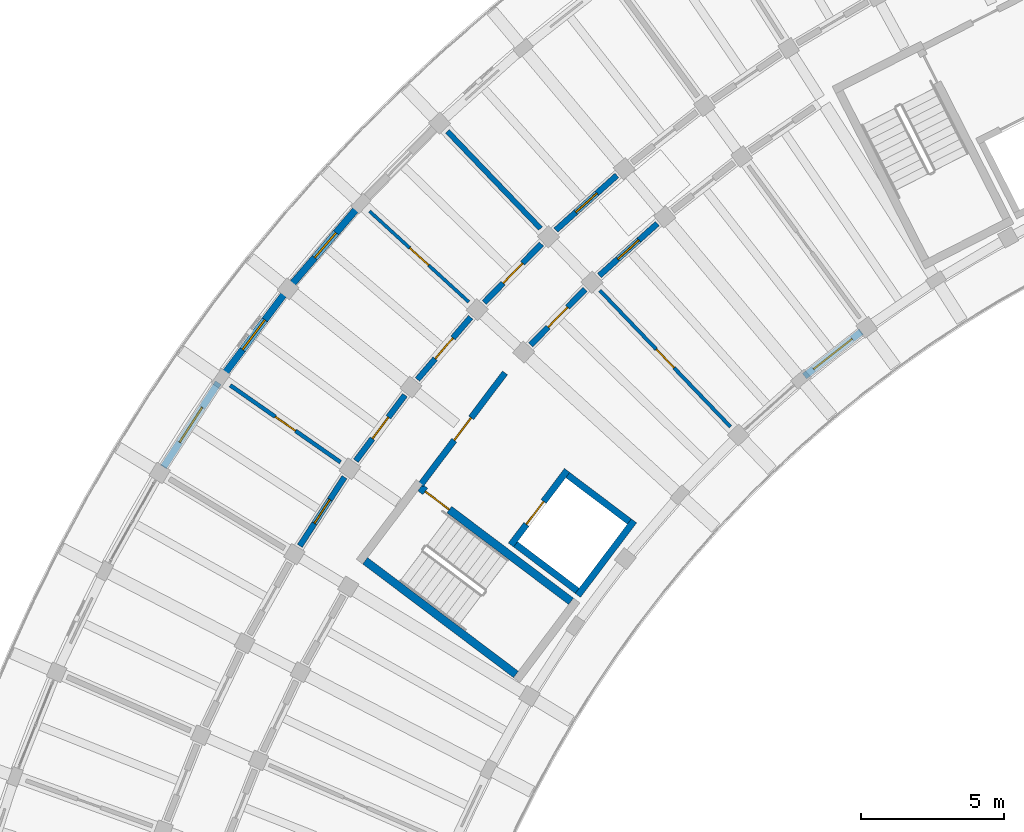
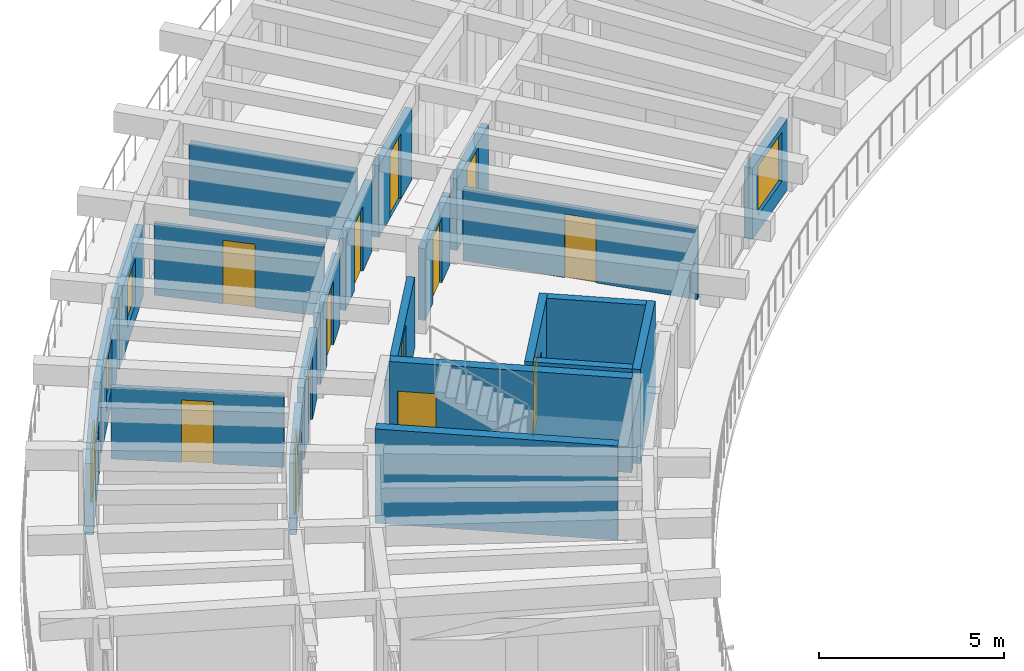
# One storey, part 61 of 96: 22 walls, 13 doors, 4 windows, 17 openings.
"""IFC4 building model written with IfcOpenShell, lengths in metres."""

import ifcopenshell
import ifcopenshell.guid

model = None  # the IFC model being written
_history = None  # IfcOwnerHistory: only IFC2X3 demands one
_inside = {}  # id of a spatial element -> (the spatial element, [elements in it])
_under = {}  # id of a project, library or spatial element -> (it, [spatial elements below it])
_declared = {}  # id of a project -> (the project, [libraries it declares])
_typed = {}  # id of a type object -> (the type object, [elements of that type])
_made_of = {}  # id of a material, layer set ... -> (it, [elements and type objects made of it])


def new_model(schema):
    """Start an empty IFC model of exactly this schema.

    Asked for "IFC4X3", IfcOpenShell would pick the latest addendum, in which some entities
    have other attributes; the version numbers below select the first issue.
    IFC2X3 requires an IfcOwnerHistory on every rooted entity: one is made here for all.
    """
    global model, _history
    if schema == "IFC4X3":
        model = ifcopenshell.file(schema_version=(4, 3, 0, 0))
    else:
        model = ifcopenshell.file(schema=schema)
    _inside.clear()
    _under.clear()
    _declared.clear()
    _typed.clear()
    _made_of.clear()
    _history = None
    if model.schema == "IFC2X3":
        org = make("IfcOrganization", Name="unknown")
        user = make(
            "IfcPersonAndOrganization",
            ThePerson=make("IfcPerson", FamilyName="unknown"),
            TheOrganization=org,
        )
        app = make(
            "IfcApplication",
            ApplicationDeveloper=org,
            Version="unknown",
            ApplicationFullName="unknown",
            ApplicationIdentifier="unknown",
        )
        _history = make(
            "IfcOwnerHistory",
            OwningUser=user,
            OwningApplication=app,
            ChangeAction="ADDED",
            CreationDate=0,
        )
    return model


def make(cls, **values):
    """One entity of the class cls with the attributes given. An attribute that is None is left unset."""
    return model.create_entity(
        cls, **{name: value for name, value in values.items() if value is not None}
    )


def rooted(cls, **values):
    """An entity with a GlobalId (a new one), such as an element, a storey or a relation."""
    return make(cls, GlobalId=ifcopenshell.guid.new(), OwnerHistory=_history, **values)


def si_unit(unit_type, name, prefix=None):
    """IfcSIUnit, for example si_unit("LENGTHUNIT", "METRE", prefix="MILLI")."""
    return make("IfcSIUnit", UnitType=unit_type, Prefix=prefix, Name=name)


def assignment(units):
    """IfcUnitAssignment: the units of a project."""
    return None if units is None else make("IfcUnitAssignment", Units=units)


def point(xyz):
    """IfcCartesianPoint."""
    return None if xyz is None else make("IfcCartesianPoint", Coordinates=xyz)


def direction(xyz):
    """IfcDirection."""
    return None if xyz is None else make("IfcDirection", DirectionRatios=xyz)


def frame(location, z_axis=None, x_axis=None):
    """IfcAxis2Placement3D, a coordinate frame: its origin and axes. An axis left out is left unset."""
    return make(
        "IfcAxis2Placement3D",
        Location=point(location),
        Axis=direction(z_axis),
        RefDirection=direction(x_axis),
    )


def frame_2d(location, x_axis=None):
    """IfcAxis2Placement2D, a coordinate frame in the plane: its origin and x axis."""
    return make(
        "IfcAxis2Placement2D", Location=point(location), RefDirection=direction(x_axis)
    )


def origin():
    """The frame at (0, 0, 0) with its axes left unset."""
    return frame((0.0, 0.0, 0.0))


def place(relative_to, where):
    """IfcLocalPlacement: puts the frame where relative to a parent placement (None: the world)."""
    return make(
        "IfcLocalPlacement", PlacementRelTo=relative_to, RelativePlacement=where
    )


def context(
    kind, dimensions, precision=None, world=None, true_north=None, identifier=None
):
    """IfcGeometricRepresentationContext, for example the 3D "Model" context."""
    return make(
        "IfcGeometricRepresentationContext",
        ContextIdentifier=identifier,
        ContextType=kind,
        CoordinateSpaceDimension=dimensions,
        Precision=precision,
        WorldCoordinateSystem=world,
        TrueNorth=true_north,
    )


def subcontext(parent, identifier, kind, view, scale=None):
    """IfcGeometricRepresentationSubContext, for example "Body" below "Model"."""
    return make(
        "IfcGeometricRepresentationSubContext",
        ContextIdentifier=identifier,
        ContextType=kind,
        ParentContext=parent,
        TargetScale=scale,
        TargetView=view,
    )


def project(units=None, contexts=None):
    """IfcProject with its units and contexts."""
    return rooted(
        "IfcProject",
        Name="project",
        RepresentationContexts=contexts,
        UnitsInContext=assignment(units),
    )


def spatial(cls, under=None, at=None, **own):
    """A site, building, storey or space (cls), placed at a placement, below another one or the project."""
    s = rooted(cls, ObjectPlacement=at, **own)
    if under is not None:
        _under.setdefault(under.id(), (under, []))[1].append(s)
    return s


def profile(cls, at=None, kind="AREA", **sizes):
    """A parametric profile (cls). Its sizes go by their IFC names, for example OverallWidth=200.0."""
    return make(cls, ProfileType=kind, Position=at, **sizes)


def rectangle(**sizes):
    """IfcRectangleProfileDef."""
    return profile("IfcRectangleProfileDef", **sizes)


def extrude(swept, where, along, depth):
    """IfcExtrudedAreaSolid: the profile swept, set in the frame where, extruded along a direction by depth."""
    return make(
        "IfcExtrudedAreaSolid",
        SweptArea=swept,
        Position=where,
        ExtrudedDirection=direction(along),
        Depth=depth,
    )


def shape(context_of_items, identifier, shape_type, items):
    """IfcShapeRepresentation: the items that make up one representation, for example the "Body"."""
    return make(
        "IfcShapeRepresentation",
        ContextOfItems=context_of_items,
        RepresentationIdentifier=identifier,
        RepresentationType=shape_type,
        Items=items,
    )


def material(Name=None, Category=None):
    """IfcMaterial."""
    return make("IfcMaterial", Name=Name, Category=Category)


def layer(
    of_material, thickness, ventilated=None, Name=None, Category=None, Priority=None
):
    """IfcMaterialLayer: one layer of a wall or slab, of a material (None: an air gap)."""
    return make(
        "IfcMaterialLayer",
        Material=of_material,
        LayerThickness=thickness,
        IsVentilated=ventilated,
        Name=Name,
        Category=Category,
        Priority=Priority,
    )


def layer_set(layers, Name=None):
    """IfcMaterialLayerSet."""
    return make("IfcMaterialLayerSet", MaterialLayers=layers, LayerSetName=Name)


def made_of(thing, what):
    """Note that an element or type object is made of a material, layer set ...; save() writes the relation."""
    if what is not None:
        _made_of.setdefault(what.id(), (what, []))[1].append(thing)
    return thing


def type_object(cls, material=None, **own):
    """A type object (cls), such as IfcWallType, which elements share."""
    return made_of(rooted(cls, **own), material)


def element(
    cls,
    number,
    at=None,
    inside=None,
    cuts=None,
    type_object=None,
    material=None,
    context=None,
    identifier="Body",
    shape_type=None,
    held_by="IfcProductDefinitionShape",
    body=None,
    shapes=None,
    **own,
):
    """One element of the class cls, such as IfcWall. Its Tag is "e" and its number.

    at: its placement. inside: the storey or other place that contains it. cuts: it is an
    opening in that element (IfcRelVoidsElement). A single representation is given by context,
    identifier, shape_type and body (its items); several are given by shapes. held_by: the class
    of the entity that holds the representations. save() writes the other relations.
    """
    e = rooted(cls, Tag="e%d" % number, ObjectPlacement=at, **own)
    if body is not None:
        shapes = [shape(context, identifier, shape_type, body)]
    if shapes is not None:
        e.Representation = make(held_by, Representations=shapes)
    if inside is not None:
        _inside.setdefault(inside.id(), (inside, []))[1].append(e)
    if cuts is not None:
        rooted(
            "IfcRelVoidsElement", RelatingBuildingElement=cuts, RelatedOpeningElement=e
        )
    if type_object is not None:
        _typed.setdefault(type_object.id(), (type_object, []))[1].append(e)
    return made_of(e, material)


def fill(opening, filler):
    """IfcRelFillsElement: the door or window that sits in an opening."""
    return rooted(
        "IfcRelFillsElement",
        RelatingOpeningElement=opening,
        RelatedBuildingElement=filler,
    )


def aggregate(whole, parts):
    """IfcRelAggregates: a whole, such as a stair, and the parts it consists of."""
    return rooted("IfcRelAggregates", RelatingObject=whole, RelatedObjects=parts)


def save(model, path):
    """Write the relations noted so far, then the file.

    IfcRelAggregates (storeys below a building ...), IfcRelContainedInSpatialStructure (elements
    in a storey), IfcRelDefinesByType, IfcRelAssociatesMaterial and IfcRelDeclares: one each for
    every whole, place, type object, material and project.
    """
    for whole, parts in _under.values():
        aggregate(whole, parts)
    for where, things in _inside.values():
        rooted(
            "IfcRelContainedInSpatialStructure",
            RelatedElements=things,
            RelatingStructure=where,
        )
    for kind, things in _typed.values():
        rooted("IfcRelDefinesByType", RelatedObjects=things, RelatingType=kind)
    for what, things in _made_of.values():
        rooted("IfcRelAssociatesMaterial", RelatedObjects=things, RelatingMaterial=what)
    for by, libraries in _declared.values():
        rooted("IfcRelDeclares", RelatingContext=by, RelatedDefinitions=libraries)
    model.write(path)


model = new_model("IFC4")

# Units and contexts
model_context = context("Model", 3, precision=1e-05, world=origin(), true_north=direction((0.0, 1.0)))
body_context = subcontext(model_context, "Body", "Model", "MODEL_VIEW")
ifc_project = project(units=[si_unit("LENGTHUNIT", "METRE"), si_unit("AREAUNIT", "SQUARE_METRE"), si_unit("VOLUMEUNIT", "CUBIC_METRE"), si_unit("PLANEANGLEUNIT", "RADIAN"), si_unit("MASSUNIT", "GRAM", prefix="KILO")], contexts=[model_context])

# Site, building, storey
site_placement = place(None, origin())
site = spatial("IfcSite", under=ifc_project, at=site_placement, CompositionType="ELEMENT")
building_placement = place(site_placement, origin())
building = spatial("IfcBuilding", under=site, at=building_placement, Name="Tanwirah Colonnade Gardens", CompositionType="ELEMENT")
storey_placement = place(building_placement, frame((0.0, 0.0, 12.199951171875)))
storey = spatial("IfcBuildingStorey", under=building, at=storey_placement, Name="L03", CompositionType="ELEMENT", Elevation=12.199951171875)

# Wall, opening, window
ifc_material_1 = material(Name="Limestone architectural precast concrete C40/50", Category="masonry")
ifc_layer_1 = layer(ifc_material_1, 0.2451171875)
ifc_layer_set_1 = layer_set([ifc_layer_1], Name="Limestone architectural precast concrete C40/50")
wall_type_1 = type_object("IfcWallType", Name="EW-PC245", PredefinedType="SOLIDWALL", material=ifc_layer_set_1)
wall_1_placement = place(storey_placement, frame((38.541015625, 95.907958984375, 0.0), z_axis=(0.0, 0.0, 1.0), x_axis=(-0.786831325151, -0.617168101704, 0.0)))
wall_1 = element("IfcWall", 1, at=wall_1_placement, inside=storey, type_object=wall_type_1, Name="Block A L03 IN Precast Facade Wall 8", PredefinedType="SOLIDWALL", context=body_context, shape_type="SweptSolid", body=[
    extrude(rectangle(XDim=2.525390625, YDim=0.2451171875, at=frame_2d((1.2626953125, 0.0))), origin(), (0.0, 0.0, 1.0), 2.35498046875),
])
opening_1_placement = place(wall_1_placement, frame((0.402587890625, 0.0, 0.550048828125)))
opening_1 = element("IfcOpeningElement", 2, at=opening_1_placement, cuts=wall_1, Name="Opening WIN-U15", PredefinedType="OPENING", context=body_context, shape_type="SweptSolid", body=[
    extrude(rectangle(XDim=1.719970703125, YDim=1.610107421875, at=frame_2d((0.85986328125, 0.80517578125))), frame((0.0, 0.132568359375, 0.0), z_axis=(0.0, -1.0, 0.0), x_axis=(1.0, 0.0, 0.0)), (0.0, 0.0, 1.0), 0.26513671875),
])
ifc_material_2 = material(Name="Thermally broken bronze aluminium and solar low-E double glazing", Category="aluminium")
window_type_1 = type_object("IfcWindowType", Name="WIN-U15", PartitioningType="DOUBLE_PANEL_VERTICAL", PredefinedType="WINDOW", material=ifc_material_2)
window_1_placement = place(opening_1_placement, origin())
window_1 = element("IfcWindow", 3, at=window_1_placement, inside=storey, type_object=window_type_1, Name="Facade window A-L03-IN-08", OverallHeight=1.610107421875, OverallWidth=1.719970703125, PartitioningType="SINGLE_PANEL", PredefinedType="WINDOW", context=body_context, shape_type="SweptSolid", body=[
    extrude(rectangle(XDim=1.719970703125, YDim=1.610107421875, at=frame_2d((0.85986328125, 0.80517578125))), frame((0.0, 0.030029296875, 0.0), z_axis=(0.0, -1.0, 0.0), x_axis=(1.0, 0.0, 0.0)), (0.0, 0.0, 1.0), 0.06005859375),
])
fill(opening_1, window_1)

wall_2_placement = place(storey_placement, frame((20.9521484375, 100.267333984375, 0.0), z_axis=(0.0, 0.0, 1.0), x_axis=(-0.65016298181, -0.759794773004, 0.0)))
wall_2 = element("IfcWall", 4, at=wall_2_placement, inside=storey, type_object=wall_type_1, Name="Block A L03 OUT Precast Facade Wall 11", PredefinedType="SOLIDWALL", context=body_context, shape_type="SweptSolid", body=[
    extrude(rectangle(XDim=3.520751953125, YDim=0.2451171875, at=frame_2d((1.76025390625, 0.0))), origin(), (0.0, 0.0, 1.0), 2.35498046875),
])
opening_2_placement = place(wall_2_placement, frame((1.185302734375, 0.0, 0.550048828125)))
opening_2 = element("IfcOpeningElement", 5, at=opening_2_placement, cuts=wall_2, Name="Opening WIN-T01", PredefinedType="OPENING", context=body_context, shape_type="SweptSolid", body=[
    extrude(rectangle(XDim=1.14990234375, YDim=1.5, at=frame_2d((0.574951171875, 0.75))), frame((0.0, 0.132568359375, 0.0), z_axis=(0.0, -1.0, 0.0), x_axis=(1.0, 0.0, 0.0)), (0.0, 0.0, 1.0), 0.26513671875),
])
window_type_2 = type_object("IfcWindowType", Name="WIN-T01", PartitioningType="SINGLE_PANEL", PredefinedType="WINDOW", material=ifc_material_2)
window_2_placement = place(opening_2_placement, origin())
window_2 = element("IfcWindow", 6, at=window_2_placement, inside=storey, type_object=window_type_2, Name="Facade window A-L03-OUT-11", OverallHeight=1.5, OverallWidth=1.14990234375, PartitioningType="SINGLE_PANEL", PredefinedType="WINDOW", context=body_context, shape_type="SweptSolid", body=[
    extrude(rectangle(XDim=1.14990234375, YDim=1.5, at=frame_2d((0.574951171875, 0.75))), frame((0.0, 0.030029296875, 0.0), z_axis=(0.0, -1.0, 0.0), x_axis=(1.0, 0.0, 0.0)), (0.0, 0.0, 1.0), 0.06005859375),
])
fill(opening_2, window_2)

wall_3_placement = place(storey_placement, frame((18.35693359375, 97.2099609375, 0.0), z_axis=(0.0, 0.0, 1.0), x_axis=(-0.598701122926, -0.800972512267, 0.0)))
wall_3 = element("IfcWall", 7, at=wall_3_placement, inside=storey, type_object=wall_type_1, Name="Block A L03 OUT Precast Facade Wall 12", PredefinedType="SOLIDWALL", context=body_context, shape_type="SweptSolid", body=[
    extrude(rectangle(XDim=3.520751953125, YDim=0.2451171875, at=frame_2d((1.76025390625, 0.0))), origin(), (0.0, 0.0, 1.0), 2.35498046875),
])
opening_3_placement = place(wall_3_placement, frame((1.1103515625, 0.0, 0.550048828125)))
opening_3 = element("IfcOpeningElement", 8, at=opening_3_placement, cuts=wall_3, Name="Opening WIN-T04", PredefinedType="OPENING", context=body_context, shape_type="SweptSolid", body=[
    extrude(rectangle(XDim=1.300048828125, YDim=1.60009765625, at=frame_2d((0.64990234375, 0.800048828125))), frame((0.0, 0.132568359375, 0.0), z_axis=(0.0, -1.0, 0.0), x_axis=(1.0, 0.0, 0.0)), (0.0, 0.0, 1.0), 0.26513671875),
])
window_type_3 = type_object("IfcWindowType", Name="WIN-T04", PartitioningType="DOUBLE_PANEL_VERTICAL", PredefinedType="WINDOW", material=ifc_material_2)
window_3_placement = place(opening_3_placement, origin())
window_3 = element("IfcWindow", 9, at=window_3_placement, inside=storey, type_object=window_type_3, Name="Facade window A-L03-OUT-12", OverallHeight=1.60009765625, OverallWidth=1.300048828125, PartitioningType="SINGLE_PANEL", PredefinedType="WINDOW", context=body_context, shape_type="SweptSolid", body=[
    extrude(rectangle(XDim=1.300048828125, YDim=1.60009765625, at=frame_2d((0.64990234375, 0.800048828125))), frame((0.0, 0.030029296875, 0.0), z_axis=(0.0, -1.0, 0.0), x_axis=(1.0, 0.0, 0.0)), (0.0, 0.0, 1.0), 0.06005859375),
])
fill(opening_3, window_3)

wall_4_placement = place(storey_placement, frame((16.066162109375, 94.127685546875, 0.0), z_axis=(0.0, 0.0, 1.0), x_axis=(-0.544610510414, -0.838689091349, 0.0)))
wall_4 = element("IfcWall", 10, at=wall_4_placement, inside=storey, type_object=wall_type_1, Name="Block A L03 OUT Precast Facade Wall 13", PredefinedType="SOLIDWALL", context=body_context, shape_type="SweptSolid", body=[
    extrude(rectangle(XDim=3.520751953125, YDim=0.2451171875, at=frame_2d((1.76025390625, 0.0))), origin(), (0.0, 0.0, 1.0), 2.35498046875),
])
opening_4_placement = place(wall_4_placement, frame((1.035400390625, 0.0, 0.35009765625)))
opening_4 = element("IfcOpeningElement", 11, at=opening_4_placement, cuts=wall_4, Name="Opening WIN-T07", PredefinedType="OPENING", context=body_context, shape_type="SweptSolid", body=[
    extrude(rectangle(XDim=1.449951171875, YDim=1.699951171875, at=frame_2d((0.72509765625, 0.85009765625))), frame((0.0, 0.132568359375, 0.0), z_axis=(0.0, -1.0, 0.0), x_axis=(1.0, 0.0, 0.0)), (0.0, 0.0, 1.0), 0.26513671875),
])
window_type_4 = type_object("IfcWindowType", Name="WIN-T07", PartitioningType="DOUBLE_PANEL_VERTICAL", PredefinedType="WINDOW", material=ifc_material_2)
window_4_placement = place(opening_4_placement, origin())
window_4 = element("IfcWindow", 12, at=window_4_placement, inside=storey, type_object=window_type_4, Name="Facade window A-L03-OUT-13", OverallHeight=1.699951171875, OverallWidth=1.449951171875, PartitioningType="SINGLE_PANEL", PredefinedType="WINDOW", context=body_context, shape_type="SweptSolid", body=[
    extrude(rectangle(XDim=1.449951171875, YDim=1.699951171875, at=frame_2d((0.72509765625, 0.85009765625))), frame((0.0, 0.030029296875, 0.0), z_axis=(0.0, -1.0, 0.0), x_axis=(1.0, 0.0, 0.0)), (0.0, 0.0, 1.0), 0.06005859375),
])
fill(opening_4, window_4)

# Wall, opening, door
ifc_material_3 = material(Name="Precast concrete C40/50", Category="concrete")
ifc_layer_2 = layer(ifc_material_3, 0.205078125)
ifc_layer_set_2 = layer_set([ifc_layer_2], Name="Precast concrete C40/50")
wall_type_2 = type_object("IfcWallType", Name="IW-CORR205", PredefinedType="PARTITIONING", material=ifc_layer_set_2)
wall_5_placement = place(storey_placement, frame((29.996826171875, 101.37109375, 0.0), z_axis=(0.0, 0.0, 1.0), x_axis=(-0.744433521088, -0.667696587291, 0.0)))
wall_5 = element("IfcWall", 13, at=wall_5_placement, inside=storey, type_object=wall_type_2, Name="Block A L03 OUT Corridor Wall 9", PredefinedType="PARTITIONING", context=body_context, shape_type="SweptSolid", body=[
    extrude(rectangle(XDim=2.86328125, YDim=0.205078125, at=frame_2d((1.431640625, 0.0))), origin(), (0.0, 0.0, 1.0), 2.3701171875),
])
opening_5_placement = place(wall_5_placement, frame((0.9365234375, 0.0, 0.0)))
opening_5 = element("IfcOpeningElement", 14, at=opening_5_placement, cuts=wall_5, Name="Opening L03-AD367", PredefinedType="OPENING", context=body_context, shape_type="SweptSolid", body=[
    extrude(rectangle(XDim=0.989990234375, YDim=2.159912109375, at=frame_2d((0.4951171875, 1.080078125))), frame((0.0, 0.112548828125, 0.0), z_axis=(0.0, -1.0, 0.0), x_axis=(1.0, 0.0, 0.0)), (0.0, 0.0, 1.0), 0.22509765625),
])
ifc_material_4 = material(Name="Solid oak fire-resisting apartment entrance door")
door_type_1 = type_object("IfcDoorType", Name="ID-FLT099", OperationType="NOTDEFINED", PredefinedType="DOOR", material=ifc_material_4)
door_1_placement = place(opening_5_placement, origin())
door_1 = element("IfcDoor", 15, at=door_1_placement, inside=storey, type_object=door_type_1, Name="Apartment corridor door L03-AD367", OperationType="SINGLE_SWING_LEFT", OverallHeight=2.159912109375, OverallWidth=0.989990234375, PredefinedType="DOOR", context=body_context, shape_type="SweptSolid", body=[
    extrude(rectangle(XDim=0.989990234375, YDim=2.159912109375, at=frame_2d((0.4951171875, 1.080078125))), frame((0.0, 0.02490234375, 0.0), z_axis=(0.0, -1.0, 0.0), x_axis=(1.0, 0.0, 0.0)), (0.0, 0.0, 1.0), 0.050048828125),
])
fill(opening_5, door_1)

wall_6_placement = place(storey_placement, frame((31.410888671875, 99.685791015625, 0.0), z_axis=(0.0, 0.0, 1.0), x_axis=(-0.744418559135, -0.667713268413, 0.0)))
wall_6 = element("IfcWall", 16, at=wall_6_placement, inside=storey, type_object=wall_type_2, Name="Block A L03 IN Corridor Wall 9", PredefinedType="PARTITIONING", context=body_context, shape_type="SweptSolid", body=[
    extrude(rectangle(XDim=2.71826171875, YDim=0.205078125, at=frame_2d((1.359130859375, 0.0))), origin(), (0.0, 0.0, 1.0), 2.3701171875),
])
opening_6_placement = place(wall_6_placement, frame((0.864013671875, 0.0, 0.0)))
opening_6 = element("IfcOpeningElement", 17, at=opening_6_placement, cuts=wall_6, Name="Opening L03-AD368", PredefinedType="OPENING", context=body_context, shape_type="SweptSolid", body=[
    extrude(rectangle(XDim=0.989990234375, YDim=2.159912109375, at=frame_2d((0.4951171875, 1.080078125))), frame((0.0, 0.112548828125, 0.0), z_axis=(0.0, -1.0, 0.0), x_axis=(1.0, 0.0, 0.0)), (0.0, 0.0, 1.0), 0.22509765625),
])
door_2_placement = place(opening_6_placement, origin())
door_2 = element("IfcDoor", 18, at=door_2_placement, inside=storey, type_object=door_type_1, Name="Apartment corridor door L03-AD368", OperationType="SINGLE_SWING_RIGHT", OverallHeight=2.159912109375, OverallWidth=0.989990234375, PredefinedType="DOOR", context=body_context, shape_type="SweptSolid", body=[
    extrude(rectangle(XDim=0.989990234375, YDim=2.159912109375, at=frame_2d((0.4951171875, 1.080078125))), frame((0.0, 0.02490234375, 0.0), z_axis=(0.0, -1.0, 0.0), x_axis=(1.0, 0.0, 0.0)), (0.0, 0.0, 1.0), 0.050048828125),
])
fill(opening_6, door_2)

wall_7_placement = place(storey_placement, frame((27.360107421875, 98.975341796875, 0.0), z_axis=(0.0, 0.0, 1.0), x_axis=(-0.698787219683, -0.715329589496, 0.0)))
wall_7 = element("IfcWall", 19, at=wall_7_placement, inside=storey, type_object=wall_type_2, Name="Block A L03 OUT Corridor Wall 10", PredefinedType="PARTITIONING", context=body_context, shape_type="SweptSolid", body=[
    extrude(rectangle(XDim=2.863037109375, YDim=0.205078125, at=frame_2d((1.431640625, 0.0))), origin(), (0.0, 0.0, 1.0), 2.3701171875),
])
opening_7_placement = place(wall_7_placement, frame((0.946533203125, 0.0, 0.0)))
opening_7 = element("IfcOpeningElement", 20, at=opening_7_placement, cuts=wall_7, Name="Opening L03-AD370", PredefinedType="OPENING", context=body_context, shape_type="SweptSolid", body=[
    extrude(rectangle(XDim=0.969970703125, YDim=2.14990234375, at=frame_2d((0.48486328125, 1.074951171875))), frame((0.0, 0.112548828125, 0.0), z_axis=(0.0, -1.0, 0.0), x_axis=(1.0, 0.0, 0.0)), (0.0, 0.0, 1.0), 0.22509765625),
])
door_type_2 = type_object("IfcDoorType", Name="ID-FLT097", OperationType="NOTDEFINED", PredefinedType="DOOR", material=ifc_material_4)
door_3_placement = place(opening_7_placement, origin())
door_3 = element("IfcDoor", 21, at=door_3_placement, inside=storey, type_object=door_type_2, Name="Apartment corridor door L03-AD370", OperationType="SINGLE_SWING_RIGHT", OverallHeight=2.14990234375, OverallWidth=0.969970703125, PredefinedType="DOOR", context=body_context, shape_type="SweptSolid", body=[
    extrude(rectangle(XDim=0.969970703125, YDim=2.14990234375, at=frame_2d((0.48486328125, 1.074951171875))), frame((0.0, 0.02490234375, 0.0), z_axis=(0.0, -1.0, 0.0), x_axis=(1.0, 0.0, 0.0)), (0.0, 0.0, 1.0), 0.050048828125),
])
fill(opening_7, door_3)

wall_8_placement = place(storey_placement, frame((28.88232421875, 97.38671875, 0.0), z_axis=(0.0, 0.0, 1.0), x_axis=(-0.698840007829, -0.715278018296, 0.0)))
wall_8 = element("IfcWall", 22, at=wall_8_placement, inside=storey, type_object=wall_type_2, Name="Block A L03 IN Corridor Wall 10", PredefinedType="PARTITIONING", context=body_context, shape_type="SweptSolid", body=[
    extrude(rectangle(XDim=2.718017578125, YDim=0.205078125, at=frame_2d((1.35888671875, 0.0))), origin(), (0.0, 0.0, 1.0), 2.3701171875),
])
opening_8_placement = place(wall_8_placement, frame((0.8740234375, 0.0, 0.0)))
opening_8 = element("IfcOpeningElement", 23, at=opening_8_placement, cuts=wall_8, Name="Opening L03-AD371", PredefinedType="OPENING", context=body_context, shape_type="SweptSolid", body=[
    extrude(rectangle(XDim=0.969970703125, YDim=2.14990234375, at=frame_2d((0.48486328125, 1.074951171875))), frame((0.0, 0.112548828125, 0.0), z_axis=(0.0, -1.0, 0.0), x_axis=(1.0, 0.0, 0.0)), (0.0, 0.0, 1.0), 0.22509765625),
])
door_4_placement = place(opening_8_placement, origin())
door_4 = element("IfcDoor", 24, at=door_4_placement, inside=storey, type_object=door_type_2, Name="Apartment corridor door L03-AD371", OperationType="SINGLE_SWING_LEFT", OverallHeight=2.14990234375, OverallWidth=0.969970703125, PredefinedType="DOOR", context=body_context, shape_type="SweptSolid", body=[
    extrude(rectangle(XDim=0.969970703125, YDim=2.14990234375, at=frame_2d((0.48486328125, 1.074951171875))), frame((0.0, 0.02490234375, 0.0), z_axis=(0.0, -1.0, 0.0), x_axis=(1.0, 0.0, 0.0)), (0.0, 0.0, 1.0), 0.050048828125),
])
fill(opening_8, door_4)

wall_9_placement = place(storey_placement, frame((24.88720703125, 96.4111328125, 0.0), z_axis=(0.0, 0.0, 1.0), x_axis=(-0.650194272684, -0.759767996015, 0.0)))
wall_9 = element("IfcWall", 25, at=wall_9_placement, inside=storey, type_object=wall_type_2, Name="Block A L03 OUT Corridor Wall 11", PredefinedType="PARTITIONING", context=body_context, shape_type="SweptSolid", body=[
    extrude(rectangle(XDim=2.863037109375, YDim=0.205078125, at=frame_2d((1.431640625, 0.0))), origin(), (0.0, 0.0, 1.0), 2.3701171875),
])
opening_9_placement = place(wall_9_placement, frame((0.95654296875, 0.0, 0.0)))
opening_9 = element("IfcOpeningElement", 26, at=opening_9_placement, cuts=wall_9, Name="Opening L03-AD373", PredefinedType="OPENING", context=body_context, shape_type="SweptSolid", body=[
    extrude(rectangle(XDim=0.949951171875, YDim=2.1298828125, at=frame_2d((0.47509765625, 1.06494140625))), frame((0.0, 0.112548828125, 0.0), z_axis=(0.0, -1.0, 0.0), x_axis=(1.0, 0.0, 0.0)), (0.0, 0.0, 1.0), 0.22509765625),
])
door_type_3 = type_object("IfcDoorType", Name="ID-FLT095", OperationType="NOTDEFINED", PredefinedType="DOOR", material=ifc_material_4)
door_5_placement = place(opening_9_placement, origin())
door_5 = element("IfcDoor", 27, at=door_5_placement, inside=storey, type_object=door_type_3, Name="Apartment corridor door L03-AD373", OperationType="SINGLE_SWING_LEFT", OverallHeight=2.1298828125, OverallWidth=0.949951171875, PredefinedType="DOOR", context=body_context, shape_type="SweptSolid", body=[
    extrude(rectangle(XDim=0.949951171875, YDim=2.1298828125, at=frame_2d((0.47509765625, 1.06494140625))), frame((0.0, 0.02490234375, 0.0), z_axis=(0.0, -1.0, 0.0), x_axis=(1.0, 0.0, 0.0)), (0.0, 0.0, 1.0), 0.050048828125),
])
fill(opening_9, door_5)

wall_10_placement = place(storey_placement, frame((22.588623046875, 93.689453125, 0.0), z_axis=(0.0, 0.0, 1.0), x_axis=(-0.598757763243, -0.800930172335, 0.0)))
wall_10 = element("IfcWall", 28, at=wall_10_placement, inside=storey, type_object=wall_type_2, Name="Block A L03 OUT Corridor Wall 12", PredefinedType="PARTITIONING", context=body_context, shape_type="SweptSolid", body=[
    extrude(rectangle(XDim=2.86328125, YDim=0.205078125, at=frame_2d((1.431640625, 0.0))), origin(), (0.0, 0.0, 1.0), 2.3701171875),
])
opening_10_placement = place(wall_10_placement, frame((0.966552734375, 0.0, 0.0)))
opening_10 = element("IfcOpeningElement", 29, at=opening_10_placement, cuts=wall_10, Name="Opening L03-AD374", PredefinedType="OPENING", context=body_context, shape_type="SweptSolid", body=[
    extrude(rectangle(XDim=0.929931640625, YDim=2.1201171875, at=frame_2d((0.46484375, 1.06005859375))), frame((0.0, 0.112548828125, 0.0), z_axis=(0.0, -1.0, 0.0), x_axis=(1.0, 0.0, 0.0)), (0.0, 0.0, 1.0), 0.22509765625),
])
door_type_4 = type_object("IfcDoorType", Name="ID-FLT093", OperationType="NOTDEFINED", PredefinedType="DOOR", material=ifc_material_4)
door_6_placement = place(opening_10_placement, origin())
door_6 = element("IfcDoor", 30, at=door_6_placement, inside=storey, type_object=door_type_4, Name="Apartment corridor door L03-AD374", OperationType="SINGLE_SWING_RIGHT", OverallHeight=2.1201171875, OverallWidth=0.929931640625, PredefinedType="DOOR", context=body_context, shape_type="SweptSolid", body=[
    extrude(rectangle(XDim=0.929931640625, YDim=2.1201171875, at=frame_2d((0.46484375, 1.06005859375))), frame((0.0, 0.02490234375, 0.0), z_axis=(0.0, -1.0, 0.0), x_axis=(1.0, 0.0, 0.0)), (0.0, 0.0, 1.0), 0.050048828125),
])
fill(opening_10, door_6)

wall_11_placement = place(storey_placement, frame((20.47412109375, 90.822265625, 0.0), z_axis=(0.0, 0.0, 1.0), x_axis=(-0.544643612649, -0.838667595178, 0.0)))
wall_11 = element("IfcWall", 31, at=wall_11_placement, inside=storey, type_object=wall_type_2, Name="Block A L03 OUT Corridor Wall 13", PredefinedType="PARTITIONING", context=body_context, shape_type="SweptSolid", body=[
    extrude(rectangle(XDim=2.863037109375, YDim=0.205078125, at=frame_2d((1.431640625, 0.0))), origin(), (0.0, 0.0, 1.0), 2.3701171875),
])
opening_11_placement = place(wall_11_placement, frame((0.9365234375, 0.0, 0.0)))
opening_11 = element("IfcOpeningElement", 32, at=opening_11_placement, cuts=wall_11, Name="Opening L03-AD376", PredefinedType="OPENING", context=body_context, shape_type="SweptSolid", body=[
    extrude(rectangle(XDim=0.989990234375, YDim=2.159912109375, at=frame_2d((0.4951171875, 1.080078125))), frame((0.0, 0.112548828125, 0.0), z_axis=(0.0, -1.0, 0.0), x_axis=(1.0, 0.0, 0.0)), (0.0, 0.0, 1.0), 0.22509765625),
])
door_7_placement = place(opening_11_placement, origin())
door_7 = element("IfcDoor", 33, at=door_7_placement, inside=storey, type_object=door_type_1, Name="Apartment corridor door L03-AD376", OperationType="SINGLE_SWING_LEFT", OverallHeight=2.159912109375, OverallWidth=0.989990234375, PredefinedType="DOOR", context=body_context, shape_type="SweptSolid", body=[
    extrude(rectangle(XDim=0.989990234375, YDim=2.159912109375, at=frame_2d((0.4951171875, 1.080078125))), frame((0.0, 0.02490234375, 0.0), z_axis=(0.0, -1.0, 0.0), x_axis=(1.0, 0.0, 0.0)), (0.0, 0.0, 1.0), 0.050048828125),
])
fill(opening_11, door_7)

# Wall
ifc_layer_3 = layer(ifc_material_3, 0.18505859375)
ifc_layer_set_3 = layer_set([ifc_layer_3], Name="Precast concrete C40/50")
wall_type_3 = type_object("IfcWallType", Name="IW-DEM185", PredefinedType="PARTITIONING", material=ifc_layer_set_3)
wall_12_placement = place(storey_placement, frame((27.328125, 99.514404296875, 0.0), z_axis=(0.0, 0.0, 1.0), x_axis=(-0.691882799356, 0.722009828157, 0.0)))
element("IfcWall", 34, at=wall_12_placement, inside=storey, type_object=wall_type_3, Name="Block A L03 Radial Partition 9", PredefinedType="PARTITIONING", context=body_context, shape_type="SweptSolid", body=[
    extrude(rectangle(XDim=4.7001953125, YDim=0.18505859375, at=frame_2d((2.35009765625, 0.0))), origin(), (0.0, 0.0, 1.0), 2.3701171875),
])

# Wall, opening, door
ifc_material_5 = material(Name="Autoclaved aerated masonry blockwork", Category="masonry")
ifc_layer_4 = layer(ifc_material_5, 0.219970703125)
ifc_layer_set_4 = layer_set([ifc_layer_4], Name="Autoclaved aerated masonry blockwork")
wall_type_4 = type_object("IfcWallType", Name="IW-FFL220", PredefinedType="PARTITIONING", material=ifc_layer_set_4)
wall_13_placement = place(storey_placement, frame((23.138916015625, 90.55517578125, 0.0), z_axis=(0.0, 0.0, 1.0), x_axis=(0.601792209296, 0.79865270101, 0.0)))
wall_13 = element("IfcWall", 35, at=wall_13_placement, inside=storey, type_object=wall_type_4, Name="CORE-A2 L03 Enclosed Lobby Fire Wall", PredefinedType="PARTITIONING", context=body_context, shape_type="SweptSolid", body=[
    extrude(rectangle(XDim=4.89990234375, YDim=0.219970703125, at=frame_2d((2.449951171875, 0.0))), origin(), (0.0, 0.0, 1.0), 2.340087890625),
])
opening_12_placement = place(wall_13_placement, frame((1.949951171875, 0.0, 0.0)))
opening_12 = element("IfcOpeningElement", 36, at=opening_12_placement, cuts=wall_13, Name="Opening L03-LD053", PredefinedType="OPENING", context=body_context, shape_type="SweptSolid", body=[
    extrude(rectangle(XDim=0.97998046875, YDim=2.139892578125, at=frame_2d((0.489990234375, 1.06982421875))), frame((0.0, 0.119873046875, 0.0), z_axis=(0.0, -1.0, 0.0), x_axis=(1.0, 0.0, 0.0)), (0.0, 0.0, 1.0), 0.239990234375),
])
ifc_material_6 = material(Name="Acoustic fire-resisting lobby door")
door_type_5 = type_object("IfcDoorType", Name="ID-FFL098", OperationType="NOTDEFINED", PredefinedType="DOOR", material=ifc_material_6)
door_8_placement = place(opening_12_placement, origin())
door_8 = element("IfcDoor", 37, at=door_8_placement, inside=storey, type_object=door_type_5, Name="CORE-A2 L03 Lobby Fire Door L03-LD053", OperationType="SINGLE_SWING_RIGHT", OverallHeight=2.139892578125, OverallWidth=0.97998046875, PredefinedType="DOOR", context=body_context, shape_type="SweptSolid", body=[
    extrude(rectangle(XDim=0.97998046875, YDim=2.139892578125, at=frame_2d((0.489990234375, 1.06982421875))), frame((0.0, 0.02490234375, 0.0), z_axis=(0.0, -1.0, 0.0), x_axis=(1.0, 0.0, 0.0)), (0.0, 0.0, 1.0), 0.050048828125),
])
fill(opening_12, door_8)

ifc_material_7 = material(Name="Acoustic gypsum stud partition")
ifc_layer_5 = layer(ifc_material_7, 0.114990234375)
ifc_layer_set_5 = layer_set([ifc_layer_5], Name="Acoustic gypsum stud partition")
wall_type_5 = type_object("IfcWallType", Name="IW-INT115", PredefinedType="PARTITIONING", material=ifc_layer_set_5)
wall_14_placement = place(storey_placement, frame((24.819580078125, 96.947021484375, 0.0), z_axis=(0.0, 0.0, 1.0), x_axis=(-0.737934199263, 0.674872667663, 0.0)))
wall_14 = element("IfcWall", 38, at=wall_14_placement, inside=storey, type_object=wall_type_5, Name="Block A L03 Radial Partition 10", PredefinedType="PARTITIONING", context=body_context, shape_type="SweptSolid", body=[
    extrude(rectangle(XDim=4.699951171875, YDim=0.114990234375, at=frame_2d((2.35009765625, 0.0))), origin(), (0.0, 0.0, 1.0), 2.3701171875),
])
opening_13_placement = place(wall_14_placement, frame((1.905029296875, 0.0, 0.0)))
opening_13 = element("IfcOpeningElement", 39, at=opening_13_placement, cuts=wall_14, Name="Opening L03-RD372", PredefinedType="OPENING", context=body_context, shape_type="SweptSolid", body=[
    extrude(rectangle(XDim=0.889892578125, YDim=2.10009765625, at=frame_2d((0.44482421875, 1.050048828125))), frame((0.0, 0.0673828125, 0.0), z_axis=(0.0, -1.0, 0.0), x_axis=(1.0, 0.0, 0.0)), (0.0, 0.0, 1.0), 0.135009765625),
])
ifc_material_8 = material(Name="Painted hardwood bedroom door", Category="wood")
door_type_6 = type_object("IfcDoorType", Name="ID-RM089", OperationType="NOTDEFINED", PredefinedType="DOOR", material=ifc_material_8)
door_9_placement = place(opening_13_placement, origin())
door_9 = element("IfcDoor", 40, at=door_9_placement, inside=storey, type_object=door_type_6, Name="Internal apartment door L03-RD372", OperationType="SINGLE_SWING_RIGHT", OverallHeight=2.10009765625, OverallWidth=0.889892578125, PredefinedType="DOOR", context=body_context, shape_type="SweptSolid", body=[
    extrude(rectangle(XDim=0.889892578125, YDim=2.10009765625, at=frame_2d((0.44482421875, 1.050048828125))), frame((0.0, 0.02490234375, 0.0), z_axis=(0.0, -1.0, 0.0), x_axis=(1.0, 0.0, 0.0)), (0.0, 0.0, 1.0), 0.050048828125),
])
fill(opening_13, door_9)

ifc_material_9 = material(Name="Moisture-resistant gypsum stud partition")
ifc_layer_6 = layer(ifc_material_9, 0.125)
ifc_layer_set_6 = layer_set([ifc_layer_6], Name="Moisture-resistant gypsum stud partition")
wall_type_6 = type_object("IfcWallType", Name="IW-INT125", PredefinedType="PARTITIONING", material=ifc_layer_set_6)
wall_15_placement = place(storey_placement, frame((33.969970703125, 92.5830078125, 0.0), z_axis=(0.0, 0.0, 1.0), x_axis=(-0.691872422458, 0.722019771919, 0.0)))
wall_15 = element("IfcWall", 41, at=wall_15_placement, inside=storey, type_object=wall_type_6, Name="Block A L03 Inner Radial Partition 9", PredefinedType="PARTITIONING", context=body_context, shape_type="SweptSolid", body=[
    extrude(rectangle(XDim=6.60009765625, YDim=0.125, at=frame_2d((3.300048828125, 0.0))), origin(), (0.0, 0.0, 1.0), 2.3701171875),
])
opening_14_placement = place(wall_15_placement, frame((2.85498046875, 0.0, 0.0)))
opening_14 = element("IfcOpeningElement", 42, at=opening_14_placement, cuts=wall_15, Name="Opening L03-RD369", PredefinedType="OPENING", context=body_context, shape_type="SweptSolid", body=[
    extrude(rectangle(XDim=0.889892578125, YDim=2.10009765625, at=frame_2d((0.44482421875, 1.050048828125))), frame((0.0, 0.072509765625, 0.0), z_axis=(0.0, -1.0, 0.0), x_axis=(1.0, 0.0, 0.0)), (0.0, 0.0, 1.0), 0.14501953125),
])
door_10_placement = place(opening_14_placement, origin())
door_10 = element("IfcDoor", 43, at=door_10_placement, inside=storey, type_object=door_type_6, Name="Internal apartment door L03-RD369", OperationType="SINGLE_SWING_RIGHT", OverallHeight=2.10009765625, OverallWidth=0.889892578125, PredefinedType="DOOR", context=body_context, shape_type="SweptSolid", body=[
    extrude(rectangle(XDim=0.889892578125, YDim=2.10009765625, at=frame_2d((0.44482421875, 1.050048828125))), frame((0.0, 0.02490234375, 0.0), z_axis=(0.0, -1.0, 0.0), x_axis=(1.0, 0.0, 0.0)), (0.0, 0.0, 1.0), 0.050048828125),
])
fill(opening_14, door_10)

ifc_material_10 = material(Name="Water-resistant acoustic plumbing partition")
ifc_layer_7 = layer(ifc_material_10, 0.139892578125)
ifc_layer_set_7 = layer_set([ifc_layer_7], Name="Water-resistant acoustic plumbing partition")
wall_type_7 = type_object("IfcWallType", Name="IW-WET140", PredefinedType="PLUMBINGWALL", material=ifc_layer_set_7)
wall_16_placement = place(storey_placement, frame((20.336669921875, 91.3447265625, 0.0), z_axis=(0.0, 0.0, 1.0), x_axis=(-0.820272617205, 0.571972755876, 0.0)))
wall_16 = element("IfcWall", 44, at=wall_16_placement, inside=storey, type_object=wall_type_7, Name="Block A L03 Radial Partition 12", PredefinedType="PLUMBINGWALL", context=body_context, shape_type="SweptSolid", body=[
    extrude(rectangle(XDim=4.699951171875, YDim=0.139892578125, at=frame_2d((2.35009765625, 0.0))), origin(), (0.0, 0.0, 1.0), 2.3701171875),
])
opening_15_placement = place(wall_16_placement, frame((1.919921875, 0.0, 0.0)))
opening_15 = element("IfcOpeningElement", 45, at=opening_15_placement, cuts=wall_16, Name="Opening L03-RD375", PredefinedType="OPENING", context=body_context, shape_type="SweptSolid", body=[
    extrude(rectangle(XDim=0.860107421875, YDim=2.06005859375, at=frame_2d((0.43017578125, 1.030029296875))), frame((0.0, 0.079833984375, 0.0), z_axis=(0.0, -1.0, 0.0), x_axis=(1.0, 0.0, 0.0)), (0.0, 0.0, 1.0), 0.159912109375),
])
ifc_material_11 = material(Name="Moisture-resistant bathroom door")
door_type_7 = type_object("IfcDoorType", Name="ID-WET086", OperationType="NOTDEFINED", PredefinedType="DOOR", material=ifc_material_11)
door_11_placement = place(opening_15_placement, origin())
door_11 = element("IfcDoor", 46, at=door_11_placement, inside=storey, type_object=door_type_7, Name="Internal apartment door L03-RD375", OperationType="SINGLE_SWING_RIGHT", OverallHeight=2.06005859375, OverallWidth=0.860107421875, PredefinedType="DOOR", context=body_context, shape_type="SweptSolid", body=[
    extrude(rectangle(XDim=0.860107421875, YDim=2.06005859375, at=frame_2d((0.43017578125, 1.030029296875))), frame((0.0, 0.02490234375, 0.0), z_axis=(0.0, -1.0, 0.0), x_axis=(1.0, 0.0, 0.0)), (0.0, 0.0, 1.0), 0.050048828125),
])
fill(opening_15, door_11)

# Wall
ifc_material_12 = material(Name="Concrete C45/55", Category="concrete")
ifc_layer_8 = layer(ifc_material_12, 0.280029296875)
ifc_layer_set_8 = layer_set([ifc_layer_8], Name="Concrete C45/55")
wall_type_8 = type_object("IfcWallType", Name="SW-CORE280", PredefinedType="SHEAR", material=ifc_layer_set_8)
wall_17_placement = place(storey_placement, frame((21.19873046875, 87.8974609375, 0.0), z_axis=(0.0, 0.0, 1.0), x_axis=(0.798639633744, -0.601809550782, 0.0)))
element("IfcWall", 47, at=wall_17_placement, inside=storey, type_object=wall_type_8, Name="CORE-A2 L03 Stair Shaft Shear Wall LEFT", PredefinedType="SHEAR", context=body_context, shape_type="SweptSolid", body=[
    extrude(rectangle(XDim=6.599853515625, YDim=0.280029296875, at=frame_2d((3.2998046875, 0.0))), origin(), (0.0, 0.0, 1.0), 3.110107421875),
])

# Wall, opening, door
wall_18_placement = place(storey_placement, frame((23.12451171875, 90.453125, 0.0), z_axis=(0.0, 0.0, 1.0), x_axis=(0.798639633744, -0.601809550782, 0.0)))
wall_18 = element("IfcWall", 48, at=wall_18_placement, inside=storey, type_object=wall_type_8, Name="CORE-A2 L03 Stair Shaft Shear Wall RIGHT", PredefinedType="SHEAR", context=body_context, shape_type="SweptSolid", body=[
    extrude(rectangle(XDim=6.599853515625, YDim=0.280029296875, at=frame_2d((3.2998046875, 0.0))), origin(), (0.0, 0.0, 1.0), 3.110107421875),
])
opening_16_placement = place(wall_18_placement, frame((0.219970703125, 0.0, 0.0)))
opening_16 = element("IfcOpeningElement", 49, at=opening_16_placement, cuts=wall_18, Name="Opening L03-SD037", PredefinedType="OPENING", context=body_context, shape_type="SweptSolid", body=[
    extrude(rectangle(XDim=1.050048828125, YDim=2.14990234375, at=frame_2d((0.52490234375, 1.074951171875))), frame((0.0, 0.14990234375, 0.0), z_axis=(0.0, -1.0, 0.0), x_axis=(1.0, 0.0, 0.0)), (0.0, 0.0, 1.0), 0.300048828125),
])
ifc_material_13 = material(Name="Steel fire-resisting stair enclosure door", Category="steel")
door_type_8 = type_object("IfcDoorType", Name="ID-ST105", OperationType="NOTDEFINED", PredefinedType="DOOR", material=ifc_material_13)
door_12_placement = place(opening_16_placement, origin())
door_12 = element("IfcDoor", 50, at=door_12_placement, inside=storey, type_object=door_type_8, Name="CORE-A2 L03 Stair Fire Door L03-SD037", OperationType="SINGLE_SWING_RIGHT", OverallHeight=2.14990234375, OverallWidth=1.050048828125, PredefinedType="DOOR", context=body_context, shape_type="SweptSolid", body=[
    extrude(rectangle(XDim=1.050048828125, YDim=2.14990234375, at=frame_2d((0.52490234375, 1.074951171875))), frame((0.0, 0.02490234375, 0.0), z_axis=(0.0, -1.0, 0.0), x_axis=(1.0, 0.0, 0.0)), (0.0, 0.0, 1.0), 0.050048828125),
])
fill(opening_16, door_12)

ifc_layer_9 = layer(ifc_material_12, 0.22998046875)
ifc_layer_set_9 = layer_set([ifc_layer_9], Name="Concrete C45/55")
wall_type_9 = type_object("IfcWallType", Name="SW-LIFT230", PredefinedType="SHEAR", material=ifc_layer_set_9)
wall_19_placement = place(storey_placement, frame((26.2939453125, 88.452880859375, 0.0), z_axis=(0.0, 0.0, 1.0), x_axis=(0.601819781152, 0.798631924615, 0.0)))
wall_19 = element("IfcWall", 51, at=wall_19_placement, inside=storey, type_object=wall_type_9, Name="CORE-A2 L03 Lift Shaft Wall FRONT", PredefinedType="SHEAR", context=body_context, shape_type="SweptSolid", body=[
    extrude(rectangle(XDim=3.260009765625, YDim=0.22998046875, at=frame_2d((1.6298828125, 0.0))), origin(), (0.0, 0.0, 1.0), 3.110107421875),
])
opening_17_placement = place(wall_19_placement, frame((0.89990234375, 0.0, 0.0)))
opening_17 = element("IfcOpeningElement", 52, at=opening_17_placement, cuts=wall_19, Name="Opening L03-LD-PL-A2", PredefinedType="OPENING", context=body_context, shape_type="SweptSolid", body=[
    extrude(rectangle(XDim=1.0, YDim=2.14990234375, at=frame_2d((0.5, 1.074951171875))), frame((0.0, 0.125, 0.0), z_axis=(0.0, -1.0, 0.0), x_axis=(1.0, 0.0, 0.0)), (0.0, 0.0, 1.0), 0.25),
])
ifc_material_14 = material(Name="Bronze stainless steel sliding lift landing door", Category="steel")
door_type_9 = type_object("IfcDoorType", Name="LD-PS10", OperationType="DOUBLE_DOOR_SLIDING", PredefinedType="DOOR", material=ifc_material_14)
door_13_placement = place(opening_17_placement, origin())
door_13 = element("IfcDoor", 53, at=door_13_placement, inside=storey, type_object=door_type_9, Name="Lift PL-A2 L03 Sliding Landing Door", OperationType="DOUBLE_DOOR_SLIDING", OverallHeight=2.14990234375, OverallWidth=1.0, PredefinedType="DOOR", context=body_context, shape_type="SweptSolid", body=[
    extrude(rectangle(XDim=1.0, YDim=2.14990234375, at=frame_2d((0.5, 1.074951171875))), frame((0.0, 0.02490234375, 0.0), z_axis=(0.0, -1.0, 0.0), x_axis=(1.0, 0.0, 0.0)), (0.0, 0.0, 1.0), 0.050048828125),
])
fill(opening_17, door_13)

# Walls
wall_20_placement = place(storey_placement, frame((28.634033203125, 86.689697265625, 0.0), z_axis=(0.0, 0.0, 1.0), x_axis=(0.601819781152, 0.798631924615, 0.0)))
element("IfcWall", 54, at=wall_20_placement, inside=storey, type_object=wall_type_9, Name="CORE-A2 L03 Lift Shaft Wall BACK", PredefinedType="SHEAR", context=body_context, shape_type="SweptSolid", body=[
    extrude(rectangle(XDim=3.260009765625, YDim=0.22998046875, at=frame_2d((1.6298828125, 0.0))), origin(), (0.0, 0.0, 1.0), 3.110107421875),
])
for number, where, z_axis, x_axis, name in (
    (55, (26.455078125, 88.4755859375, 0.0), (0.0, 0.0, 1.0), (0.798608971494, -0.601850239387, 0.0), "CORE-A2 L03 Lift Shaft Wall SIDEA"),
    (56, (28.278564453125, 90.8955078125, 0.0), (0.0, 0.0, 1.0), (0.798608971494, -0.601850239387, 0.0), "CORE-A2 L03 Lift Shaft Wall SIDEB"),
):
    element("IfcWall", number, at=place(storey_placement, frame(where, z_axis=z_axis, x_axis=x_axis)), inside=storey, type_object=wall_type_9, Name=name, PredefinedType="SHEAR", context=body_context, shape_type="SweptSolid", body=[
        extrude(rectangle(XDim=2.699951171875, YDim=0.22998046875, at=frame_2d((1.35009765625, 0.0))), origin(), (0.0, 0.0, 1.0), 3.110107421875),
    ])

save(model, "model.ifc")
